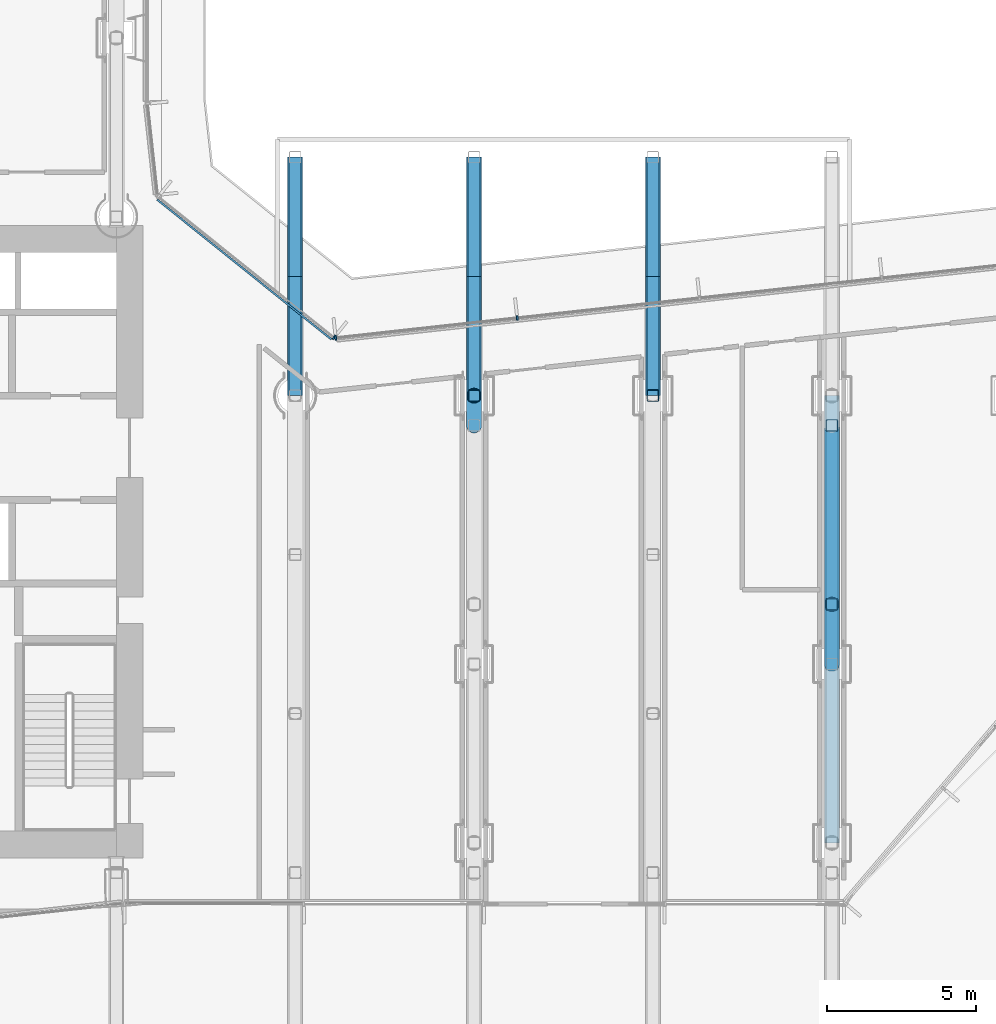
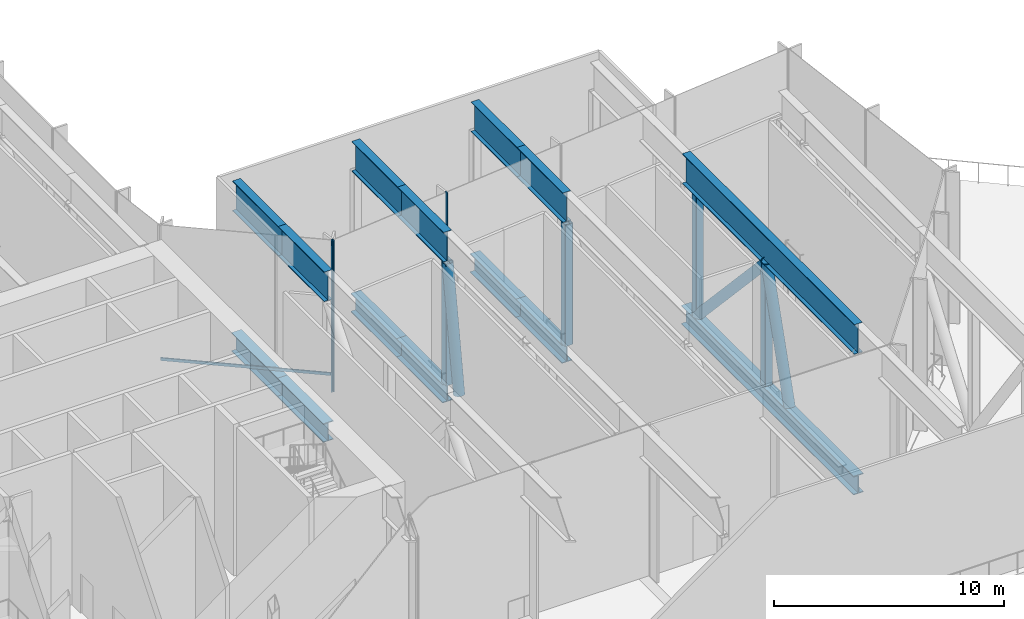
# One storey, part 5 of 25: 25 members, 2 elements without a shape of their own.
"""IFC4 building model written with IfcOpenShell, lengths in metres."""

from ifc_helpers import new_model, si_unit, direction, frame, origin, origin_2d, place, context, subcontext, project, spatial, rectangle, hollow_rectangle, hollow_circle, i_section, extrude, material, layer, layer_set, material_profile, profile_set, type_object, element, aggregate, save


model = new_model("IFC4")

# Units and contexts
model_context = context("Model", 3, precision=1e-05, world=origin(), true_north=direction((0.0, 1.0)))
body_context = subcontext(model_context, "Body", "Model", "MODEL_VIEW")
ifc_project = project(units=[si_unit("LENGTHUNIT", "METRE"), si_unit("AREAUNIT", "SQUARE_METRE"), si_unit("VOLUMEUNIT", "CUBIC_METRE"), si_unit("PLANEANGLEUNIT", "RADIAN"), si_unit("MASSUNIT", "GRAM", prefix="KILO")], contexts=[model_context])

# Site, building, storey
site_placement = place(None, origin())
site = spatial("IfcSite", under=ifc_project, at=site_placement, CompositionType="ELEMENT")
building_placement = place(site_placement, origin())
building = spatial("IfcBuilding", under=site, at=building_placement, Name="Welwitschia Terrace Campus", CompositionType="ELEMENT")
storey_placement = place(building_placement, frame((0.0, 0.0, 79.39990234375)))
storey = spatial("IfcBuildingStorey", under=building, at=storey_placement, Name="L18", CompositionType="ELEMENT", Elevation=79.39990234375)

# Curtain wall, members
ifc_material_1 = material(Name="Bronze anodised aluminium", Category="aluminium")
ifc_layer = layer(ifc_material_1, 0.159912109375)
ifc_layer_set = layer_set([ifc_layer], Name="Bronze anodised aluminium")
curtain_wall_type = type_object("IfcCurtainWallType", Name="Curtain wall CW3 commons 6000", PredefinedType="NOTDEFINED", material=ifc_layer_set)
curtain_wall_1_placement = place(storey_placement, origin())
curtain_wall_1 = element("IfcCurtainWall", 1, at=curtain_wall_1_placement, inside=storey, type_object=curtain_wall_type, Name="CW L18.12.0", PredefinedType="NOTDEFINED")
ifc_material_2 = material(Name="Bronze anodised aluminium", Category="aluminium")
ifc_material_profile_1 = material_profile(ifc_material_2, rectangle(XDim=0.159912109375, YDim=0.06005859375, at=origin_2d()))
ifc_profile_set_1 = profile_set([ifc_material_profile_1], Name="Bronze anodised aluminium")
member_type_1 = type_object("IfcMemberType", Name="Mullion 60x160", PredefinedType="MULLION", material=ifc_profile_set_1)
member_1_placement = place(storey_placement, frame((37.447998046875, 22.604736328125, 0.0), z_axis=(0.0, 0.0, 1.0), x_axis=(0.108866874852, -0.994056338222, 0.0)))
member_1 = element("IfcMember", 2, at=member_1_placement, type_object=member_type_1, Name="Mullion L18.12.0.3", PredefinedType="MULLION", context=body_context, shape_type="SweptSolid", body=[
    extrude(rectangle(XDim=0.159912109375, YDim=0.06005859375, at=origin_2d()), origin(), (0.0, 0.0, 1.0), 8.050048828125),
])
member_2_placement = place(storey_placement, frame((31.360595703125, 21.938232421875, 0.0), z_axis=(0.0, 0.0, 1.0), x_axis=(0.108866874852, -0.994056338222, 0.0)))
member_2 = element("IfcMember", 3, at=member_2_placement, type_object=member_type_1, Name="Mullion L18.12.0.4", PredefinedType="MULLION", context=body_context, shape_type="SweptSolid", body=[
    extrude(rectangle(XDim=0.159912109375, YDim=0.06005859375, at=origin_2d()), origin(), (0.0, 0.0, 1.0), 8.050048828125),
])
aggregate(curtain_wall_1, [member_1, member_2])

# Curtain wall, member
curtain_wall_2_placement = place(storey_placement, origin())
curtain_wall_2 = element("IfcCurtainWall", 4, at=curtain_wall_2_placement, inside=storey, type_object=curtain_wall_type, Name="CW L18.13.0", PredefinedType="NOTDEFINED")
member_3_placement = place(storey_placement, frame((31.307373046875, 21.95361328125, 0.0), z_axis=(0.0, 0.0, 1.0), x_axis=(-0.625923472184, -0.779884483093, 0.0)))
member_3 = element("IfcMember", 5, at=member_3_placement, type_object=member_type_1, Name="Mullion L18.13.0.0", PredefinedType="MULLION", context=body_context, shape_type="SweptSolid", body=[
    extrude(rectangle(XDim=0.159912109375, YDim=0.06005859375, at=origin_2d()), origin(), (0.0, 0.0, 1.0), 8.050048828125),
])

# Members
ifc_material_3 = material(Name="Steel S355", Category="steel")
ifc_material_profile_2 = material_profile(ifc_material_3, i_section(OverallWidth=0.5, OverallDepth=1.0, WebThickness=0.0400390625, FlangeThickness=0.0400390625, at=origin_2d()))
ifc_profile_set_2 = profile_set([ifc_material_profile_2], Name="Steel S355")
member_type_2 = type_object("IfcMemberType", Name="Transfer truss C1 bottom cantilever chord WI 1000x500x40x40", PredefinedType="CHORD", material=ifc_profile_set_2)
for number, where, z_axis, x_axis, name in (
    (6, (30.0, 20.0, -0.5), (0.0, 1.0, 0.0), (-1.0, 0.0, 0.0), "Truss bottom chord"),
    (7, (30.0, 24.0, -0.5), (0.0, 1.0, 0.0), (-1.0, 0.0, 0.0), "Truss bottom chord"),
    (8, (36.0, 20.0, -0.5), (0.0, 1.0, 0.0), (-1.0, 0.0, 0.0), "Truss bottom chord"),
    (9, (36.0, 24.0, -0.5), (0.0, 1.0, 0.0), (-1.0, 0.0, 0.0), "Truss bottom chord"),
    (10, (42.0, 20.0, -0.5), (0.0, 1.0, 0.0), (-1.0, 0.0, 0.0), "Truss bottom chord"),
    (11, (42.0, 24.0, -0.5), (0.0, 1.0, 0.0), (-1.0, 0.0, 0.0), "Truss bottom chord"),
):
    element("IfcMember", number, at=place(storey_placement, frame(where, z_axis=z_axis, x_axis=x_axis)), inside=storey, type_object=member_type_2, Name=name, PredefinedType="CHORD", context=body_context, shape_type="SweptSolid", body=[
        extrude(i_section(OverallWidth=0.5, OverallDepth=1.0, WebThickness=0.0400390625, FlangeThickness=0.0400390625, at=origin_2d()), origin(), (0.0, 0.0, 1.0), 4.0),
    ])
ifc_material_4 = material(Name="Steel S355", Category="steel")
ifc_material_profile_3 = material_profile(ifc_material_4, i_section(OverallWidth=0.5, OverallDepth=1.0, WebThickness=0.030029296875, FlangeThickness=0.0400390625, at=origin_2d()))
ifc_profile_set_3 = profile_set([ifc_material_profile_3], Name="Steel S355")
member_type_3 = type_object("IfcMemberType", Name="Transfer truss C1 bottom chord WI 1000x500x30x40", PredefinedType="CHORD", material=ifc_profile_set_3)
member_4_placement = place(storey_placement, frame((48.0, 5.0, -0.5), z_axis=(0.0, 1.0, 0.0), x_axis=(-1.0, 0.0, 0.0)))
element("IfcMember", 12, at=member_4_placement, inside=storey, type_object=member_type_3, Name="Truss bottom chord", PredefinedType="CHORD", context=body_context, shape_type="SweptSolid", body=[
    extrude(i_section(OverallWidth=0.5, OverallDepth=1.0, WebThickness=0.030029296875, FlangeThickness=0.0400390625, at=origin_2d()), origin(), (0.0, 0.0, 1.0), 15.0),
])
ifc_material_5 = material(Name="Steel S355", Category="steel")
ifc_material_profile_4 = material_profile(ifc_material_5, hollow_circle(Radius=0.25390625, WallThickness=0.02490234375, at=origin_2d()))
ifc_profile_set_4 = profile_set([ifc_material_profile_4], Name="Steel S355")
member_type_4 = type_object("IfcMemberType", Name="Transfer truss C1 diagonal CHS 508x25", PredefinedType="BRACE", material=ifc_profile_set_4)
member_5_placement = place(storey_placement, frame((36.0, 19.0, 0.0), z_axis=(0.0, 0.153203827501, 0.988194610003), x_axis=(-1.0, 0.0, 0.0)))
element("IfcMember", 13, at=member_5_placement, inside=storey, type_object=member_type_4, Name="Truss diagonal", PredefinedType="BRACE", context=body_context, shape_type="SweptSolid", body=[
    extrude(hollow_circle(Radius=0.25390625, WallThickness=0.02490234375, at=origin_2d()), origin(), (0.0, 0.0, 1.0), 6.52734375),
])
member_6_placement = place(storey_placement, frame((48.0, 11.0, 0.0), z_axis=(0.0, 0.296158139039, 0.955138920095), x_axis=(-1.0, 0.0, 0.0)))
element("IfcMember", 14, at=member_6_placement, inside=storey, type_object=member_type_4, Name="Truss diagonal", PredefinedType="BRACE", context=body_context, shape_type="SweptSolid", body=[
    extrude(hollow_circle(Radius=0.25390625, WallThickness=0.02490234375, at=origin_2d()), origin(), (0.0, 0.0, 1.0), 6.753173828125),
])
member_7_placement = place(storey_placement, frame((48.0, 19.0, 0.0), z_axis=(0.0, -0.681092885831, 0.73219702326), x_axis=(1.0, 0.0, 0.0)))
element("IfcMember", 15, at=member_7_placement, inside=storey, type_object=member_type_4, Name="Truss diagonal", PredefinedType="BRACE", context=body_context, shape_type="SweptSolid", body=[
    extrude(hollow_circle(Radius=0.25390625, WallThickness=0.02490234375, at=origin_2d()), origin(), (0.0, 0.0, 1.0), 8.809326171875),
])
ifc_material_6 = material(Name="Steel S355", Category="steel")
ifc_material_profile_5 = material_profile(ifc_material_6, hollow_rectangle(XDim=0.39990234375, YDim=0.39990234375, WallThickness=0.02490234375, InnerFilletRadius=0.02490234375, OuterFilletRadius=0.03759765625, at=origin_2d()))
ifc_profile_set_5 = profile_set([ifc_material_profile_5], Name="Steel S355")
member_type_5 = type_object("IfcMemberType", Name="Transfer truss C1 post SHS 400x400x25", PredefinedType="POST", material=ifc_profile_set_5)
for number, where, z_axis, x_axis, name in (
    (16, (36.0, 20.0, 0.0), (0.0, 0.0, 1.0), (1.0, 0.0, 0.0), "Truss post"),
    (17, (42.0, 20.0, 0.0), (0.0, 0.0, 1.0), (1.0, 0.0, 0.0), "Truss post"),
    (18, (48.0, 13.0, 0.0), (0.0, 0.0, 1.0), (1.0, 0.0, 0.0), "Truss post"),
    (19, (48.0, 19.0, 0.0), (0.0, 0.0, 1.0), (1.0, 0.0, 0.0), "Truss post"),
):
    element("IfcMember", number, at=place(storey_placement, frame(where, z_axis=z_axis, x_axis=x_axis)), inside=storey, type_object=member_type_5, Name=name, PredefinedType="POST", context=body_context, shape_type="SweptSolid", body=[
        extrude(hollow_rectangle(XDim=0.39990234375, YDim=0.39990234375, WallThickness=0.02490234375, InnerFilletRadius=0.02490234375, OuterFilletRadius=0.03759765625, at=origin_2d()), origin(), (0.0, 0.0, 1.0), 6.4501953125),
    ])
ifc_material_7 = material(Name="Steel S355", Category="steel")
ifc_material_profile_6 = material_profile(ifc_material_7, i_section(OverallWidth=0.39990234375, OverallDepth=1.60009765625, WebThickness=0.0400390625, FlangeThickness=0.0400390625, at=origin_2d()))
ifc_profile_set_6 = profile_set([ifc_material_profile_6], Name="Steel S355")
member_type_6 = type_object("IfcMemberType", Name="Transfer truss C1 top cantilever chord WI 1600x400x40x40", PredefinedType="CHORD", material=ifc_profile_set_6)
for number, where, z_axis, x_axis, name in (
    (20, (30.0, 20.0, 7.25), (0.0, 1.0, 0.0), (-1.0, 0.0, 0.0), "Truss top chord"),
    (21, (30.0, 24.0, 7.25), (0.0, 1.0, 0.0), (-1.0, 0.0, 0.0), "Truss top chord"),
    (22, (36.0, 20.0, 7.25), (0.0, 1.0, 0.0), (-1.0, 0.0, 0.0), "Truss top chord"),
    (23, (36.0, 24.0, 7.25), (0.0, 1.0, 0.0), (-1.0, 0.0, 0.0), "Truss top chord"),
    (24, (42.0, 20.0, 7.25), (0.0, 1.0, 0.0), (-1.0, 0.0, 0.0), "Truss top chord"),
    (25, (42.0, 24.0, 7.25), (0.0, 1.0, 0.0), (-1.0, 0.0, 0.0), "Truss top chord"),
):
    element("IfcMember", number, at=place(storey_placement, frame(where, z_axis=z_axis, x_axis=x_axis)), inside=storey, type_object=member_type_6, Name=name, PredefinedType="CHORD", context=body_context, shape_type="SweptSolid", body=[
        extrude(i_section(OverallWidth=0.39990234375, OverallDepth=1.60009765625, WebThickness=0.0400390625, FlangeThickness=0.0400390625, at=origin_2d()), origin(), (0.0, 0.0, 1.0), 4.0),
    ])
ifc_material_8 = material(Name="Steel S355", Category="steel")
ifc_material_profile_7 = material_profile(ifc_material_8, i_section(OverallWidth=0.39990234375, OverallDepth=1.60009765625, WebThickness=0.030029296875, FlangeThickness=0.0400390625, at=origin_2d()))
ifc_profile_set_7 = profile_set([ifc_material_profile_7], Name="Steel S355")
member_type_7 = type_object("IfcMemberType", Name="Transfer truss C1 top chord WI 1600x400x30x40", PredefinedType="CHORD", material=ifc_profile_set_7)
member_8_placement = place(storey_placement, frame((48.0, 5.0, 7.25), z_axis=(0.0, 1.0, 0.0), x_axis=(-1.0, 0.0, 0.0)))
element("IfcMember", 26, at=member_8_placement, inside=storey, type_object=member_type_7, Name="Truss top chord", PredefinedType="CHORD", context=body_context, shape_type="SweptSolid", body=[
    extrude(i_section(OverallWidth=0.39990234375, OverallDepth=1.60009765625, WebThickness=0.030029296875, FlangeThickness=0.0400390625, at=origin_2d()), origin(), (0.0, 0.0, 1.0), 15.0),
])

# Member
ifc_material_9 = material(Name="Bronze anodised aluminium", Category="aluminium")
ifc_material_profile_8 = material_profile(ifc_material_9, rectangle(XDim=0.06005859375, YDim=0.14990234375, at=origin_2d()))
ifc_profile_set_8 = profile_set([ifc_material_profile_8], Name="Bronze anodised aluminium")
member_type_8 = type_object("IfcMemberType", Name="Transom 60x150", PredefinedType="USERDEFINED", material=ifc_profile_set_8)
member_9_placement = place(storey_placement, frame((31.215087890625, 21.88671875, 1.0), z_axis=(-0.77988907991, 0.625917744625, 0.0), x_axis=(-0.625917744625, -0.77988907991, 0.0)))
member_9 = element("IfcMember", 27, at=member_9_placement, type_object=member_type_8, Name="Transom L18.13.0", ObjectType="TRANSOM", PredefinedType="USERDEFINED", context=body_context, shape_type="SweptSolid", body=[
    extrude(rectangle(XDim=0.06005859375, YDim=0.14990234375, at=origin_2d()), origin(), (0.0, 0.0, 1.0), 7.495361328125),
])

aggregate(curtain_wall_2, [member_3, member_9])

save(model, "model.ifc")
